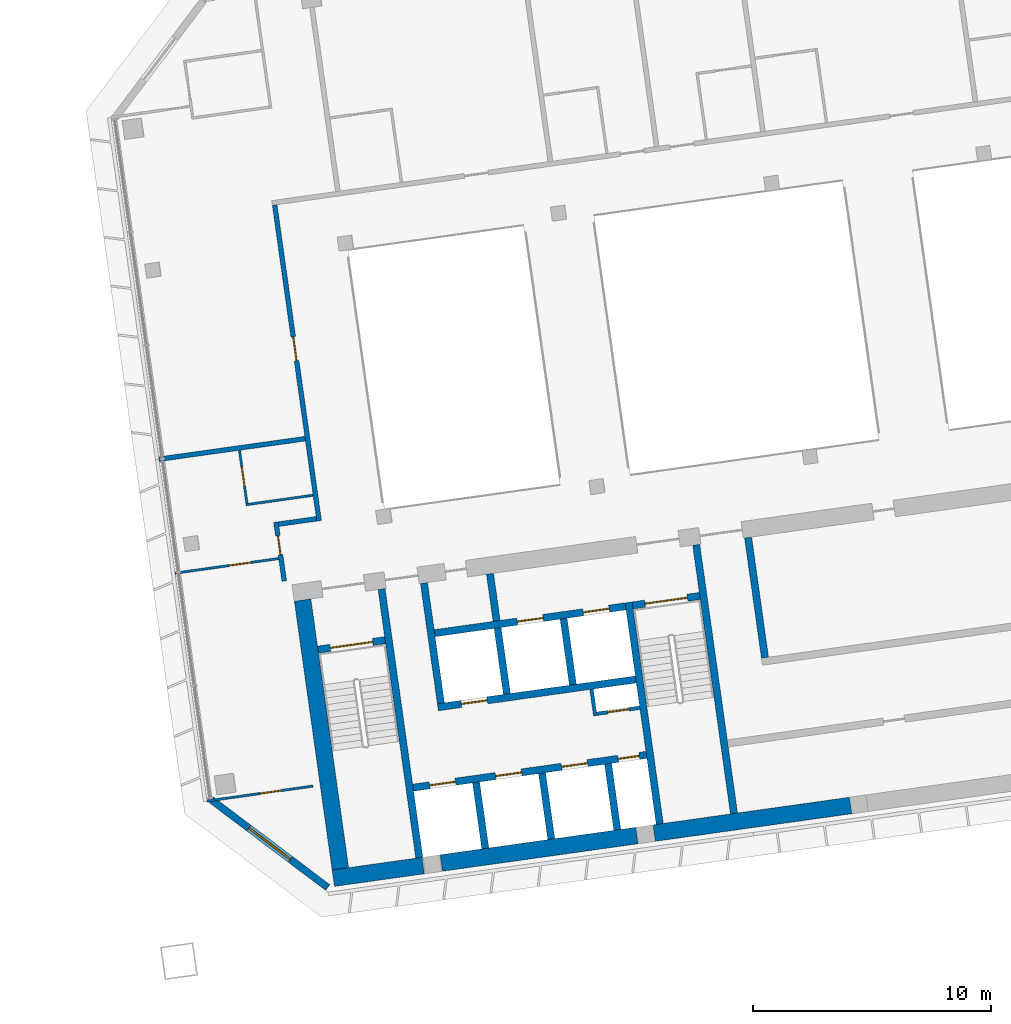
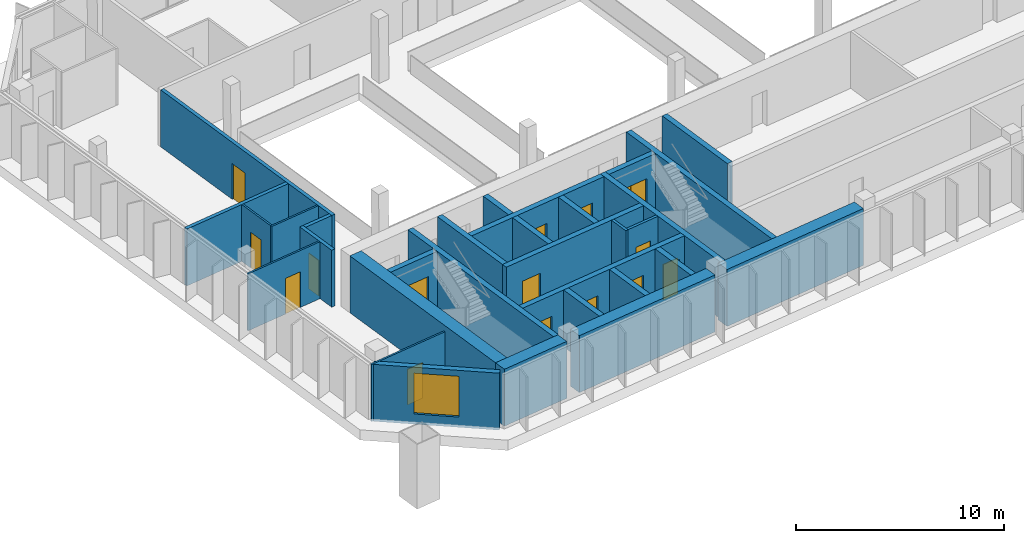
# One storey, part 19 of 26: 31 walls, 15 doors, 1 window, 16 openings.
"""IFC4 building model written with IfcOpenShell, lengths in metres."""

from ifc_helpers import new_model, si_unit, direction, frame, frame_2d, origin, place, context, subcontext, project, spatial, rectangle, extrude, material, layer, layer_set, type_object, element, fill, save


model = new_model("IFC4")

# Units and contexts
model_context = context("Model", 3, precision=1e-05, world=origin(), true_north=direction((0.0, 1.0)))
body_context = subcontext(model_context, "Body", "Model", "MODEL_VIEW")
ifc_project = project(units=[si_unit("LENGTHUNIT", "METRE"), si_unit("AREAUNIT", "SQUARE_METRE"), si_unit("VOLUMEUNIT", "CUBIC_METRE"), si_unit("PLANEANGLEUNIT", "RADIAN"), si_unit("MASSUNIT", "GRAM", prefix="KILO")], contexts=[model_context])

# Site, building, storey
site_placement = place(None, origin())
site = spatial("IfcSite", under=ifc_project, at=site_placement, CompositionType="ELEMENT")
building_placement = place(site_placement, origin())
building = spatial("IfcBuilding", under=site, at=building_placement, Name="Mirante Cascada Hotel Towers", CompositionType="ELEMENT")
storey_placement = place(building_placement, frame((0.0, 0.0, 161.2)))
storey = spatial("IfcBuildingStorey", under=building, at=storey_placement, Name="L37", CompositionType="ELEMENT", Elevation=161.2)

# Walls
ifc_material_1 = material(Name="Fire-rated plasterboard on metal studs")
ifc_layer_1 = layer(ifc_material_1, 0.2)
ifc_layer_set_1 = layer_set([ifc_layer_1], Name="Compartment wall 200 EI 120")
wall_type_1 = type_object("IfcWallType", Name="Compartment wall 200 EI 120", PredefinedType="PARTITIONING", material=ifc_layer_set_1)
wall_1_placement = place(storey_placement, frame((36.5138, -4.518, 0.0), z_axis=(0.0, 0.0, 1.0), x_axis=(-0.9902751, -0.1391229, 0.0)))
element("IfcWall", 1, at=wall_1_placement, inside=storey, type_object=wall_type_1, Name="Wall 2-L37-03", PredefinedType="PARTITIONING", context=body_context, shape_type="SweptSolid", body=[
    extrude(rectangle(XDim=1.6022, YDim=0.2, at=frame_2d((0.8011, 0.0))), origin(), (0.0, 0.0, 1.0), 3.35),
])
wall_2_placement = place(storey_placement, frame((36.0406, -1.151, 0.0), z_axis=(0.0, 0.0, 1.0), x_axis=(-0.9902675, -0.1391773, 0.0)))
element("IfcWall", 2, at=wall_2_placement, inside=storey, type_object=wall_type_1, Name="Wall 2-L37-07", PredefinedType="PARTITIONING", context=body_context, shape_type="SweptSolid", body=[
    extrude(rectangle(XDim=6.2022, YDim=0.2, at=frame_2d((3.1011, 0.0))), origin(), (0.0, 0.0, 1.0), 3.35),
])

# Wall, opening, door
wall_3_placement = place(storey_placement, frame((35.1622, -7.1315, 0.0), z_axis=(0.0, 0.0, 1.0), x_axis=(-0.1391586, 0.9902701, 0.0)))
wall_3 = element("IfcWall", 3, at=wall_3_placement, inside=storey, type_object=wall_type_1, Name="Wall 2-L37-28", PredefinedType="PARTITIONING", context=body_context, shape_type="SweptSolid", body=[
    extrude(rectangle(XDim=2.5, YDim=0.2, at=frame_2d((1.25, 0.0))), origin(), (0.0, 0.0, 1.0), 3.35),
])
opening_1_placement = place(wall_3_placement, frame((1.1167, 0.0, 0.0)))
opening_1 = element("IfcOpeningElement", 4, at=opening_1_placement, cuts=wall_3, Name="Opening D2-L37-23", PredefinedType="OPENING", context=body_context, shape_type="SweptSolid", body=[
    extrude(rectangle(XDim=0.8, YDim=2.1, at=frame_2d((0.4, 1.05))), frame((0.0, 0.1, 0.0), z_axis=(0.0, -1.0, 0.0), x_axis=(1.0, 0.0, 0.0)), (0.0, 0.0, 1.0), 0.2),
])
ifc_material_2 = material(Name="Fire-rated timber door leaf", Category="wood")
door_type_1 = type_object("IfcDoorType", Name="Bathroom door DG4 800x2100 EI 60", OperationType="SINGLE_SWING_LEFT", PredefinedType="DOOR", material=ifc_material_2)
door_1_placement = place(opening_1_placement, frame((0.8, 0.0, 0.0), z_axis=(0.0, 0.0, 1.0), x_axis=(-1.0, 0.0, 0.0)))
door_1 = element("IfcDoor", 5, at=door_1_placement, inside=storey, type_object=door_type_1, Name="Door D2-L37-23", OperationType="SINGLE_SWING_RIGHT", OverallHeight=2.1, OverallWidth=0.8, PredefinedType="DOOR", context=body_context, shape_type="SweptSolid", body=[
    extrude(rectangle(XDim=0.8, YDim=2.1, at=frame_2d((0.4, 1.05))), frame((0.0, 0.025, 0.0), z_axis=(0.0, -1.0, 0.0), x_axis=(1.0, 0.0, 0.0)), (0.0, 0.0, 1.0), 0.05),
])
fill(opening_1, door_1)

wall_4_placement = place(storey_placement, frame((34.7618, 8.6665, 0.0), z_axis=(0.0, 0.0, 1.0), x_axis=(0.1391789, -0.9902673, 0.0)))
wall_4 = element("IfcWall", 6, at=wall_4_placement, inside=storey, type_object=wall_type_1, Name="Wall 2-L37-29", PredefinedType="PARTITIONING", context=body_context, shape_type="SweptSolid", body=[
    extrude(rectangle(XDim=13.4, YDim=0.2, at=frame_2d((6.7, 0.0))), origin(), (0.0, 0.0, 1.0), 3.35),
])
opening_2_placement = place(wall_4_placement, frame((5.6, 0.0, 0.0)))
opening_2 = element("IfcOpeningElement", 7, at=opening_2_placement, cuts=wall_4, Name="Opening D2-L37-24", PredefinedType="OPENING", context=body_context, shape_type="SweptSolid", body=[
    extrude(rectangle(XDim=1.0, YDim=2.1, at=frame_2d((0.5, 1.05))), frame((0.0, 0.1, 0.0), z_axis=(0.0, -1.0, 0.0), x_axis=(1.0, 0.0, 0.0)), (0.0, 0.0, 1.0), 0.2),
])
ifc_material_3 = material(Name="Fire-rated timber door leaf", Category="wood")
door_type_2 = type_object("IfcDoorType", Name="Entrance door DG1 1000x2100 EI 60", OperationType="SINGLE_SWING_LEFT", PredefinedType="DOOR", material=ifc_material_3)
door_2_placement = place(opening_2_placement, frame((1.0, 0.0, 0.0), z_axis=(0.0, 0.0, 1.0), x_axis=(-1.0, 0.0, 0.0)))
door_2 = element("IfcDoor", 8, at=door_2_placement, inside=storey, type_object=door_type_2, Name="Door D2-L37-24", OperationType="SINGLE_SWING_RIGHT", OverallHeight=2.1, OverallWidth=1.0, PredefinedType="DOOR", context=body_context, shape_type="SweptSolid", body=[
    extrude(rectangle(XDim=1.0, YDim=2.1, at=frame_2d((0.5, 1.05))), frame((0.0, 0.025, 0.0), z_axis=(0.0, -1.0, 0.0), x_axis=(1.0, 0.0, 0.0)), (0.0, 0.0, 1.0), 0.05),
])
fill(opening_2, door_2)

# Wall
ifc_material_4 = material(Name="Masonry block", Category="masonry")
ifc_layer_2 = layer(ifc_material_4, 0.15)
ifc_layer_set_2 = layer_set([ifc_layer_2], Name="Core room partition 150 block EI 30")
wall_type_2 = type_object("IfcWallType", Name="Core room partition 150 block EI 30", PredefinedType="PARTITIONING", material=ifc_layer_set_2)
wall_5_placement = place(storey_placement, frame((48.2295, -12.793, 0.0), z_axis=(0.0, 0.0, 1.0), x_axis=(-0.1391935, 0.9902652, 0.0)))
element("IfcWall", 9, at=wall_5_placement, inside=storey, type_object=wall_type_2, Name="Core wall partition T2 L37 2", PredefinedType="PARTITIONING", context=body_context, shape_type="SweptSolid", body=[
    extrude(rectangle(XDim=1.1251, YDim=0.15, at=frame_2d((0.5626, 0.0))), origin(), (0.0, 0.0, 1.0), 3.35),
])

# Wall, opening, door
wall_6_placement = place(storey_placement, frame((48.2933, -12.7083, 0.0), z_axis=(0.0, 0.0, 1.0), x_axis=(0.990268, 0.1391734, 0.0)))
wall_6 = element("IfcWall", 10, at=wall_6_placement, inside=storey, type_object=wall_type_2, Name="Core wall partition T2 L37 3", PredefinedType="PARTITIONING", context=body_context, shape_type="SweptSolid", body=[
    extrude(rectangle(XDim=1.8251, YDim=0.15, at=frame_2d((0.9126, 0.0))), origin(), (0.0, 0.0, 1.0), 3.35),
])
opening_3_placement = place(wall_6_placement, frame((0.4625, 0.0, 0.0)))
opening_3 = element("IfcOpeningElement", 11, at=opening_3_placement, cuts=wall_6, Name="Opening D2-37-C17", PredefinedType="OPENING", context=body_context, shape_type="SweptSolid", body=[
    extrude(rectangle(XDim=0.9, YDim=2.1, at=frame_2d((0.45, 1.05))), frame((0.0, 0.075, 0.0), z_axis=(0.0, -1.0, 0.0), x_axis=(1.0, 0.0, 0.0)), (0.0, 0.0, 1.0), 0.15),
])
ifc_material_5 = material(Name="Hollow metal fire door leaf")
door_type_3 = type_object("IfcDoorType", Name="Fire door 900x2100 FD60", OperationType="NOTDEFINED", PredefinedType="DOOR", material=ifc_material_5)
door_3_placement = place(opening_3_placement, frame((0.9, 0.0, 0.0), z_axis=(0.0, 0.0, 1.0), x_axis=(-1.0, 0.0, 0.0)))
door_3 = element("IfcDoor", 12, at=door_3_placement, inside=storey, type_object=door_type_3, Name="Riser door T2 L37 17", OperationType="SINGLE_SWING_RIGHT", OverallHeight=2.1, OverallWidth=0.9, PredefinedType="DOOR", context=body_context, shape_type="SweptSolid", body=[
    extrude(rectangle(XDim=0.9, YDim=2.1, at=frame_2d((0.45, 1.05))), frame((0.0, 0.025, 0.0), z_axis=(0.0, -1.0, 0.0), x_axis=(1.0, 0.0, 0.0)), (0.0, 0.0, 1.0), 0.05),
])
fill(opening_3, door_3)

# Wall
ifc_material_6 = material(Name="Masonry block", Category="masonry")
ifc_layer_3 = layer(ifc_material_6, 0.3)
ifc_layer_set_3 = layer_set([ifc_layer_3], Name="Core wall 300 block EI 120")
wall_type_3 = type_object("IfcWallType", Name="Core wall 300 block EI 120", PredefinedType="PARTITIONING", material=ifc_layer_set_3)
wall_7_placement = place(storey_placement, frame((44.0843, -8.8061, 0.0), z_axis=(0.0, 0.0, 1.0), x_axis=(-0.1391951, 0.990265, 0.0)))
element("IfcWall", 13, at=wall_7_placement, inside=storey, type_object=wall_type_3, Name="Core wall partition T2 L37 1", PredefinedType="PARTITIONING", context=body_context, shape_type="SweptSolid", body=[
    extrude(rectangle(XDim=2.0001, YDim=0.3, at=frame_2d((1.0001, 0.0))), origin(), (0.0, 0.0, 1.0), 3.35),
])

# Wall, opening, door
ifc_material_7 = material(Name="Plasterboard on metal studs")
ifc_layer_4 = layer(ifc_material_7, 0.1)
ifc_layer_set_4 = layer_set([ifc_layer_4], Name="Partition 100")
wall_type_4 = type_object("IfcWallType", Name="Partition 100", PredefinedType="PARTITIONING", material=ifc_layer_set_4)
wall_8_placement = place(storey_placement, frame((36.373, -15.7468, 0.0), z_axis=(0.0, 0.0, 1.0), x_axis=(-0.9902674, -0.1391779, 0.0)))
wall_8 = element("IfcWall", 14, at=wall_8_placement, inside=storey, type_object=wall_type_4, Name="Wall 2-L37-01", PredefinedType="PARTITIONING", context=body_context, shape_type="SweptSolid", body=[
    extrude(rectangle(XDim=4.5, YDim=0.1, at=frame_2d((2.25, 0.0))), origin(), (0.0, 0.0, 1.0), 3.35),
])
opening_4_placement = place(wall_8_placement, frame((1.3691, 0.0, 0.0)))
opening_4 = element("IfcOpeningElement", 15, at=opening_4_placement, cuts=wall_8, Name="Opening D2-L37-01", PredefinedType="OPENING", context=body_context, shape_type="SweptSolid", body=[
    extrude(rectangle(XDim=0.9, YDim=2.1, at=frame_2d((0.45, 1.05))), frame((0.0, 0.05, 0.0), z_axis=(0.0, -1.0, 0.0), x_axis=(1.0, 0.0, 0.0)), (0.0, 0.0, 1.0), 0.1),
])
ifc_material_8 = material(Name="Timber door leaf", Category="wood")
door_type_4 = type_object("IfcDoorType", Name="Room door DG3 900x2100", OperationType="SINGLE_SWING_LEFT", PredefinedType="DOOR", material=ifc_material_8)
door_4_placement = place(opening_4_placement, frame((0.9, 0.0, 0.0), z_axis=(0.0, 0.0, 1.0), x_axis=(-1.0, 0.0, 0.0)))
door_4 = element("IfcDoor", 16, at=door_4_placement, inside=storey, type_object=door_type_4, Name="Door D2-L37-01", OperationType="SINGLE_SWING_RIGHT", OverallHeight=2.1, OverallWidth=0.9, PredefinedType="DOOR", context=body_context, shape_type="SweptSolid", body=[
    extrude(rectangle(XDim=0.9, YDim=2.1, at=frame_2d((0.45, 1.05))), frame((0.0, 0.025, 0.0), z_axis=(0.0, -1.0, 0.0), x_axis=(1.0, 0.0, 0.0)), (0.0, 0.0, 1.0), 0.05),
])
fill(opening_4, door_4)

wall_9_placement = place(storey_placement, frame((30.5715, -6.8005, 0.0), z_axis=(0.0, 0.0, 1.0), x_axis=(0.9902665, 0.1391841, 0.0)))
wall_9 = element("IfcWall", 17, at=wall_9_placement, inside=storey, type_object=wall_type_4, Name="Wall 2-L37-02", PredefinedType="PARTITIONING", context=body_context, shape_type="SweptSolid", body=[
    extrude(rectangle(XDim=4.3999, YDim=0.1, at=frame_2d((2.2, 0.0))), origin(), (0.0, 0.0, 1.0), 3.35),
])
opening_5_placement = place(wall_9_placement, frame((2.3011, 0.0, 0.0)))
opening_5 = element("IfcOpeningElement", 18, at=opening_5_placement, cuts=wall_9, Name="Opening D2-L37-02", PredefinedType="OPENING", context=body_context, shape_type="SweptSolid", body=[
    extrude(rectangle(XDim=0.9, YDim=2.1, at=frame_2d((0.45, 1.05))), frame((0.0, 0.05, 0.0), z_axis=(0.0, -1.0, 0.0), x_axis=(1.0, 0.0, 0.0)), (0.0, 0.0, 1.0), 0.1),
])
door_5_placement = place(opening_5_placement, frame((0.9, 0.0, 0.0), z_axis=(0.0, 0.0, 1.0), x_axis=(-1.0, 0.0, 0.0)))
door_5 = element("IfcDoor", 19, at=door_5_placement, inside=storey, type_object=door_type_4, Name="Door D2-L37-02", OperationType="SINGLE_SWING_RIGHT", OverallHeight=2.1, OverallWidth=0.9, PredefinedType="DOOR", context=body_context, shape_type="SweptSolid", body=[
    extrude(rectangle(XDim=0.9, YDim=2.1, at=frame_2d((0.45, 1.05))), frame((0.0, 0.025, 0.0), z_axis=(0.0, -1.0, 0.0), x_axis=(1.0, 0.0, 0.0)), (0.0, 0.0, 1.0), 0.05),
])
fill(opening_5, door_5)

# Wall
wall_10_placement = place(storey_placement, frame((33.5524, -3.9243, 0.0), z_axis=(0.0, 0.0, 1.0), x_axis=(0.9902704, 0.1391564, 0.0)))
element("IfcWall", 20, at=wall_10_placement, inside=storey, type_object=wall_type_4, Name="Wall 2-L37-06", PredefinedType="PARTITIONING", context=body_context, shape_type="SweptSolid", body=[
    extrude(rectangle(XDim=2.85, YDim=0.1, at=frame_2d((1.425, 0.0))), origin(), (0.0, 0.0, 1.0), 3.35),
])

# Wall, opening, door
wall_11_placement = place(storey_placement, frame((33.5949, -3.8679, 0.0), z_axis=(0.0, 0.0, 1.0), x_axis=(-0.1391561, 0.9902705, 0.0)))
wall_11 = element("IfcWall", 21, at=wall_11_placement, inside=storey, type_object=wall_type_4, Name="Wall 2-L37-26", PredefinedType="PARTITIONING", context=body_context, shape_type="SweptSolid", body=[
    extrude(rectangle(XDim=2.25, YDim=0.1, at=frame_2d((1.125, 0.0))), origin(), (0.0, 0.0, 1.0), 3.35),
])
opening_6_placement = place(wall_11_placement, frame((0.75, 0.0, 0.0)))
opening_6 = element("IfcOpeningElement", 22, at=opening_6_placement, cuts=wall_11, Name="Opening D2-L37-21", PredefinedType="OPENING", context=body_context, shape_type="SweptSolid", body=[
    extrude(rectangle(XDim=0.8, YDim=2.1, at=frame_2d((0.4, 1.05))), frame((0.0, 0.05, 0.0), z_axis=(0.0, -1.0, 0.0), x_axis=(1.0, 0.0, 0.0)), (0.0, 0.0, 1.0), 0.1),
])
ifc_material_9 = material(Name="Timber door leaf", Category="wood")
door_type_5 = type_object("IfcDoorType", Name="Bathroom door DG4 800x2100", OperationType="SINGLE_SWING_LEFT", PredefinedType="DOOR", material=ifc_material_9)
door_6_placement = place(opening_6_placement, origin())
door_6 = element("IfcDoor", 23, at=door_6_placement, inside=storey, type_object=door_type_5, Name="Door D2-L37-21", OperationType="SINGLE_SWING_LEFT", OverallHeight=2.1, OverallWidth=0.8, PredefinedType="DOOR", context=body_context, shape_type="SweptSolid", body=[
    extrude(rectangle(XDim=0.8, YDim=2.1, at=frame_2d((0.4, 1.05))), frame((0.0, 0.025, 0.0), z_axis=(0.0, -1.0, 0.0), x_axis=(1.0, 0.0, 0.0)), (0.0, 0.0, 1.0), 0.05),
])
fill(opening_6, door_6)

# Wall, opening, window
ifc_material_10 = material(Name="Precast concrete C40/50", Category="concrete")
ifc_layer_5 = layer(ifc_material_10, 0.3)
ifc_layer_set_5 = layer_set([ifc_layer_5], Name="Precast concrete C40/50 cladding wall 300")
wall_type_5 = type_object("IfcWallType", Name="Precast concrete C40/50 cladding wall 300", PredefinedType="STANDARD", material=ifc_layer_set_5)
wall_12_placement = place(storey_placement, frame((32.1062, -16.328, 0.0), z_axis=(0.0, 0.0, 1.0), x_axis=(0.7986362, -0.6018141, 0.0)))
wall_12 = element("IfcWall", 24, at=wall_12_placement, inside=storey, type_object=wall_type_5, Name="Corner cladding wall T2 L37 inner rear", PredefinedType="STANDARD", context=body_context, shape_type="SweptSolid", body=[
    extrude(rectangle(XDim=6.1157, YDim=0.3, at=frame_2d((3.0578, 0.0))), origin(), (0.0, 0.0, 1.0), 3.35),
])
opening_7_placement = place(wall_12_placement, frame((1.9578, 0.0, 0.6)))
opening_7 = element("IfcOpeningElement", 25, at=opening_7_placement, cuts=wall_12, Name="Opening W2-37-04", PredefinedType="OPENING", context=body_context, shape_type="SweptSolid", body=[
    extrude(rectangle(XDim=2.2, YDim=2.4, at=frame_2d((1.1, 1.2))), frame((0.0, 0.15, 0.0), z_axis=(0.0, -1.0, 0.0), x_axis=(1.0, 0.0, 0.0)), (0.0, 0.0, 1.0), 0.3),
])
ifc_material_11 = material(Name="Aluminium frame with clear double glazing", Category="aluminium")
window_type = type_object("IfcWindowType", Name="Corner suite window 2200x2400", PartitioningType="DOUBLE_PANEL_VERTICAL", PredefinedType="WINDOW", material=ifc_material_11)
window_placement = place(opening_7_placement, origin())
window = element("IfcWindow", 26, at=window_placement, inside=storey, type_object=window_type, Name="Window W2-37-04", OverallHeight=2.4, OverallWidth=2.2, PartitioningType="SINGLE_PANEL", PredefinedType="WINDOW", context=body_context, shape_type="SweptSolid", body=[
    extrude(rectangle(XDim=2.2, YDim=2.4, at=frame_2d((1.1, 1.2))), frame((0.0, 0.03, 0.0), z_axis=(0.0, -1.0, 0.0), x_axis=(1.0, 0.0, 0.0)), (0.0, 0.0, 1.0), 0.06),
])
fill(opening_7, window)

# Walls
ifc_material_12 = material(Name="Concrete C50/60", Category="concrete")
ifc_layer_6 = layer(ifc_material_12, 0.3)
ifc_layer_set_6 = layer_set([ifc_layer_6], Name="RC core wall 300 C50/60")
wall_type_6 = type_object("IfcWallType", Name="RC core wall 300 C50/60", PredefinedType="SHEAR", material=ifc_layer_set_6)
wall_13_placement = place(storey_placement, frame((40.8373, -18.7548, 0.0), z_axis=(0.0, 0.0, 1.0), x_axis=(-0.1391749, 0.9902678, 0.0)))
element("IfcWall", 27, at=wall_13_placement, inside=storey, type_object=wall_type_6, Name="Core wall T2:L37:5", PredefinedType="SHEAR", context=body_context, shape_type="SweptSolid", body=[
    extrude(rectangle(XDim=11.4, YDim=0.3, at=frame_2d((5.7, 0.0))), origin(), (0.0, 0.0, 1.0), 3.35),
])
wall_14_placement = place(storey_placement, frame((50.938, -17.3352, 0.0), z_axis=(0.0, 0.0, 1.0), x_axis=(-0.1391706, 0.9902684, 0.0)))
element("IfcWall", 28, at=wall_14_placement, inside=storey, type_object=wall_type_6, Name="Core wall T2:L37:6", PredefinedType="SHEAR", context=body_context, shape_type="SweptSolid", body=[
    extrude(rectangle(XDim=9.4, YDim=0.3, at=frame_2d((4.7, 0.0))), origin(), (0.0, 0.0, 1.0), 3.35),
])
wall_15_placement = place(storey_placement, frame((54.0574, -16.8968, 0.0), z_axis=(0.0, 0.0, 1.0), x_axis=(-0.1391761, 0.9902677, 0.0)))
element("IfcWall", 29, at=wall_15_placement, inside=storey, type_object=wall_type_6, Name="Core wall T2:L37:7", PredefinedType="SHEAR", context=body_context, shape_type="SweptSolid", body=[
    extrude(rectangle(XDim=11.3999, YDim=0.3, at=frame_2d((5.7, 0.0))), origin(), (0.0, 0.0, 1.0), 3.35),
])

# Wall, opening, door
wall_16_placement = place(storey_placement, frame((36.5791, -10.0123, 0.0), z_axis=(0.0, 0.0, 1.0), x_axis=(0.9902704, 0.1391564, 0.0)))
wall_16 = element("IfcWall", 30, at=wall_16_placement, inside=storey, type_object=wall_type_6, Name="Core wall T2:L37:9", PredefinedType="SHEAR", context=body_context, shape_type="SweptSolid", body=[
    extrude(rectangle(XDim=2.85, YDim=0.3, at=frame_2d((1.425, 0.0))), origin(), (0.0, 0.0, 1.0), 3.35),
])
opening_8_placement = place(wall_16_placement, frame((0.525, 0.0, 0.0)))
opening_8 = element("IfcOpeningElement", 31, at=opening_8_placement, cuts=wall_16, Name="Opening D2-37-C07", PredefinedType="OPENING", context=body_context, shape_type="SweptSolid", body=[
    extrude(rectangle(XDim=1.8, YDim=2.1, at=frame_2d((0.9, 1.05))), frame((0.0, 0.15, 0.0), z_axis=(0.0, -1.0, 0.0), x_axis=(1.0, 0.0, 0.0)), (0.0, 0.0, 1.0), 0.3),
])
ifc_material_13 = material(Name="Hollow metal fire door leaf")
door_type_6 = type_object("IfcDoorType", Name="Double fire door 1800x2100 FD60", OperationType="DOUBLE_DOOR_SINGLE_SWING", PredefinedType="DOOR", material=ifc_material_13)
door_7_placement = place(opening_8_placement, frame((1.8, 0.0, 0.0), z_axis=(0.0, 0.0, 1.0), x_axis=(-1.0, 0.0, 0.0)))
door_7 = element("IfcDoor", 32, at=door_7_placement, inside=storey, type_object=door_type_6, Name="Stair door T2 L37 7", OperationType="DOUBLE_DOOR_SINGLE_SWING", OverallHeight=2.1, OverallWidth=1.8, PredefinedType="DOOR", context=body_context, shape_type="SweptSolid", body=[
    extrude(rectangle(XDim=0.895, YDim=2.1, at=frame_2d((0.4475, 1.05))), frame((0.0, 0.025, 0.0), z_axis=(0.0, -1.0, 0.0), x_axis=(1.0, 0.0, 0.0)), (0.0, 0.0, 1.0), 0.05),
    extrude(rectangle(XDim=0.895, YDim=2.1, at=frame_2d((1.3525, 1.05))), frame((0.0, 0.025, 0.0), z_axis=(0.0, -1.0, 0.0), x_axis=(1.0, 0.0, 0.0)), (0.0, 0.0, 1.0), 0.05),
])
fill(opening_8, door_7)

wall_17_placement = place(storey_placement, frame((49.7992, -8.1544, 0.0), z_axis=(0.0, 0.0, 1.0), x_axis=(0.9902656, 0.1391909, 0.0)))
wall_17 = element("IfcWall", 33, at=wall_17_placement, inside=storey, type_object=wall_type_6, Name="Core wall T2:L37:10", PredefinedType="SHEAR", context=body_context, shape_type="SweptSolid", body=[
    extrude(rectangle(XDim=2.85, YDim=0.3, at=frame_2d((1.425, 0.0))), origin(), (0.0, 0.0, 1.0), 3.35),
])
opening_9_placement = place(wall_17_placement, frame((0.525, 0.0, 0.0)))
opening_9 = element("IfcOpeningElement", 34, at=opening_9_placement, cuts=wall_17, Name="Opening D2-37-C09", PredefinedType="OPENING", context=body_context, shape_type="SweptSolid", body=[
    extrude(rectangle(XDim=1.8, YDim=2.1, at=frame_2d((0.9, 1.05))), frame((0.0, 0.15, 0.0), z_axis=(0.0, -1.0, 0.0), x_axis=(1.0, 0.0, 0.0)), (0.0, 0.0, 1.0), 0.3),
])
door_8_placement = place(opening_9_placement, frame((1.8, 0.0, 0.0), z_axis=(0.0, 0.0, 1.0), x_axis=(-1.0, 0.0, 0.0)))
door_8 = element("IfcDoor", 35, at=door_8_placement, inside=storey, type_object=door_type_6, Name="Stair door T2 L37 9", OperationType="DOUBLE_DOOR_SINGLE_SWING", OverallHeight=2.1, OverallWidth=1.8, PredefinedType="DOOR", context=body_context, shape_type="SweptSolid", body=[
    extrude(rectangle(XDim=0.895, YDim=2.1, at=frame_2d((0.4475, 1.05))), frame((0.0, 0.025, 0.0), z_axis=(0.0, -1.0, 0.0), x_axis=(1.0, 0.0, 0.0)), (0.0, 0.0, 1.0), 0.05),
    extrude(rectangle(XDim=0.895, YDim=2.1, at=frame_2d((1.3525, 1.05))), frame((0.0, 0.025, 0.0), z_axis=(0.0, -1.0, 0.0), x_axis=(1.0, 0.0, 0.0)), (0.0, 0.0, 1.0), 0.05),
])
fill(opening_9, door_8)

# Wall, openings, doors
wall_18_placement = place(storey_placement, frame((40.5753, -15.8126, 0.0), z_axis=(0.0, 0.0, 1.0), x_axis=(0.9902682, 0.1391725, 0.0)))
wall_18 = element("IfcWall", 36, at=wall_18_placement, inside=storey, type_object=wall_type_6, Name="Core wall T2:L37:12", PredefinedType="SHEAR", context=body_context, shape_type="SweptSolid", body=[
    extrude(rectangle(XDim=9.8999, YDim=0.3, at=frame_2d((4.95, 0.0))), origin(), (0.0, 0.0, 1.0), 3.35),
])
opening_10_placement = place(wall_18_placement, frame((0.7, 0.0, 0.0)))
opening_10 = element("IfcOpeningElement", 37, at=opening_10_placement, cuts=wall_18, Name="Opening LD", PredefinedType="OPENING", context=body_context, shape_type="SweptSolid", body=[
    extrude(rectangle(XDim=1.1, YDim=2.1, at=frame_2d((0.55, 1.05))), frame((0.0, 0.15, 0.0), z_axis=(0.0, -1.0, 0.0), x_axis=(1.0, 0.0, 0.0)), (0.0, 0.0, 1.0), 0.3),
])
opening_11_placement = place(wall_18_placement, frame((3.5, 0.0, 0.0)))
opening_11 = element("IfcOpeningElement", 38, at=opening_11_placement, cuts=wall_18, Name="Opening LD", PredefinedType="OPENING", context=body_context, shape_type="SweptSolid", body=[
    extrude(rectangle(XDim=1.1, YDim=2.1, at=frame_2d((0.55, 1.05))), frame((0.0, 0.15, 0.0), z_axis=(0.0, -1.0, 0.0), x_axis=(1.0, 0.0, 0.0)), (0.0, 0.0, 1.0), 0.3),
])
opening_12_placement = place(wall_18_placement, frame((6.3, 0.0, 0.0)))
opening_12 = element("IfcOpeningElement", 39, at=opening_12_placement, cuts=wall_18, Name="Opening LD", PredefinedType="OPENING", context=body_context, shape_type="SweptSolid", body=[
    extrude(rectangle(XDim=1.1, YDim=2.1, at=frame_2d((0.55, 1.05))), frame((0.0, 0.15, 0.0), z_axis=(0.0, -1.0, 0.0), x_axis=(1.0, 0.0, 0.0)), (0.0, 0.0, 1.0), 0.3),
])
opening_13_placement = place(wall_18_placement, frame((8.7, 0.0, 0.0)))
opening_13 = element("IfcOpeningElement", 40, at=opening_13_placement, cuts=wall_18, Name="Opening D2-37-C16", PredefinedType="OPENING", context=body_context, shape_type="SweptSolid", body=[
    extrude(rectangle(XDim=0.9, YDim=2.1, at=frame_2d((0.45, 1.05))), frame((0.0, 0.15, 0.0), z_axis=(0.0, -1.0, 0.0), x_axis=(1.0, 0.0, 0.0)), (0.0, 0.0, 1.0), 0.3),
])
door_9_placement = place(opening_13_placement, frame((0.9, 0.0, 0.0), z_axis=(0.0, 0.0, 1.0), x_axis=(-1.0, 0.0, 0.0)))
door_9 = element("IfcDoor", 41, at=door_9_placement, inside=storey, type_object=door_type_3, Name="Riser door T2 L37 16", OperationType="SINGLE_SWING_RIGHT", OverallHeight=2.1, OverallWidth=0.9, PredefinedType="DOOR", context=body_context, shape_type="SweptSolid", body=[
    extrude(rectangle(XDim=0.9, YDim=2.1, at=frame_2d((0.45, 1.05))), frame((0.0, 0.025, 0.0), z_axis=(0.0, -1.0, 0.0), x_axis=(1.0, 0.0, 0.0)), (0.0, 0.0, 1.0), 0.05),
])
fill(opening_13, door_9)
ifc_material_14 = material(Name="Stainless steel", Category="steel")
door_type_7 = type_object("IfcDoorType", Name="Lift landing door 1100x2100 EI 120", OperationType="DOUBLE_DOOR_SLIDING", PredefinedType="DOOR", material=ifc_material_14)
door_10_placement = place(opening_10_placement, origin())
door_10 = element("IfcDoor", 42, at=door_10_placement, inside=storey, type_object=door_type_7, Name="Lift landing door HR2-1 L37", OperationType="DOUBLE_DOOR_SLIDING", OverallHeight=2.1, OverallWidth=1.1, PredefinedType="DOOR", context=body_context, shape_type="SweptSolid", body=[
    extrude(rectangle(XDim=0.545, YDim=2.1, at=frame_2d((0.2725, 1.05))), frame((0.0, 0.025, 0.0), z_axis=(0.0, -1.0, 0.0), x_axis=(1.0, 0.0, 0.0)), (0.0, 0.0, 1.0), 0.05),
    extrude(rectangle(XDim=0.545, YDim=2.1, at=frame_2d((0.8275, 1.05))), frame((0.0, 0.025, 0.0), z_axis=(0.0, -1.0, 0.0), x_axis=(1.0, 0.0, 0.0)), (0.0, 0.0, 1.0), 0.05),
])
fill(opening_10, door_10)
door_11_placement = place(opening_11_placement, origin())
door_11 = element("IfcDoor", 43, at=door_11_placement, inside=storey, type_object=door_type_7, Name="Lift landing door HR2-2 L37", OperationType="DOUBLE_DOOR_SLIDING", OverallHeight=2.1, OverallWidth=1.1, PredefinedType="DOOR", context=body_context, shape_type="SweptSolid", body=[
    extrude(rectangle(XDim=0.545, YDim=2.1, at=frame_2d((0.2725, 1.05))), frame((0.0, 0.025, 0.0), z_axis=(0.0, -1.0, 0.0), x_axis=(1.0, 0.0, 0.0)), (0.0, 0.0, 1.0), 0.05),
    extrude(rectangle(XDim=0.545, YDim=2.1, at=frame_2d((0.8275, 1.05))), frame((0.0, 0.025, 0.0), z_axis=(0.0, -1.0, 0.0), x_axis=(1.0, 0.0, 0.0)), (0.0, 0.0, 1.0), 0.05),
])
fill(opening_11, door_11)
door_12_placement = place(opening_12_placement, origin())
door_12 = element("IfcDoor", 44, at=door_12_placement, inside=storey, type_object=door_type_7, Name="Lift landing door HR2-3 L37", OperationType="DOUBLE_DOOR_SLIDING", OverallHeight=2.1, OverallWidth=1.1, PredefinedType="DOOR", context=body_context, shape_type="SweptSolid", body=[
    extrude(rectangle(XDim=0.545, YDim=2.1, at=frame_2d((0.2725, 1.05))), frame((0.0, 0.025, 0.0), z_axis=(0.0, -1.0, 0.0), x_axis=(1.0, 0.0, 0.0)), (0.0, 0.0, 1.0), 0.05),
    extrude(rectangle(XDim=0.545, YDim=2.1, at=frame_2d((0.8275, 1.05))), frame((0.0, 0.025, 0.0), z_axis=(0.0, -1.0, 0.0), x_axis=(1.0, 0.0, 0.0)), (0.0, 0.0, 1.0), 0.05),
])
fill(opening_12, door_12)

# Wall, opening, door
wall_19_placement = place(storey_placement, frame((41.6153, -12.435, 0.0), z_axis=(0.0, 0.0, 1.0), x_axis=(0.9902691, 0.139166, 0.0)))
wall_19 = element("IfcWall", 45, at=wall_19_placement, inside=storey, type_object=wall_type_6, Name="Core wall T2:L37:13", PredefinedType="SHEAR", context=body_context, shape_type="SweptSolid", body=[
    extrude(rectangle(XDim=8.4, YDim=0.3, at=frame_2d((4.2, 0.0))), origin(), (0.0, 0.0, 1.0), 3.35),
])
opening_14_placement = place(wall_19_placement, frame((1.0, 0.0, 0.0)))
opening_14 = element("IfcOpeningElement", 46, at=opening_14_placement, cuts=wall_19, Name="Opening LD", PredefinedType="OPENING", context=body_context, shape_type="SweptSolid", body=[
    extrude(rectangle(XDim=1.1, YDim=2.1, at=frame_2d((0.55, 1.05))), frame((0.0, 0.15, 0.0), z_axis=(0.0, -1.0, 0.0), x_axis=(1.0, 0.0, 0.0)), (0.0, 0.0, 1.0), 0.3),
])
door_13_placement = place(opening_14_placement, origin())
door_13 = element("IfcDoor", 47, at=door_13_placement, inside=storey, type_object=door_type_7, Name="Lift landing door HR2-4 L37", OperationType="DOUBLE_DOOR_SLIDING", OverallHeight=2.1, OverallWidth=1.1, PredefinedType="DOOR", context=body_context, shape_type="SweptSolid", body=[
    extrude(rectangle(XDim=0.545, YDim=2.1, at=frame_2d((0.2725, 1.05))), frame((0.0, 0.025, 0.0), z_axis=(0.0, -1.0, 0.0), x_axis=(1.0, 0.0, 0.0)), (0.0, 0.0, 1.0), 0.05),
    extrude(rectangle(XDim=0.545, YDim=2.1, at=frame_2d((0.8275, 1.05))), frame((0.0, 0.025, 0.0), z_axis=(0.0, -1.0, 0.0), x_axis=(1.0, 0.0, 0.0)), (0.0, 0.0, 1.0), 0.05),
])
fill(opening_14, door_13)

# Wall, openings, doors
wall_20_placement = place(storey_placement, frame((41.481, -9.3234, 0.0), z_axis=(0.0, 0.0, 1.0), x_axis=(0.9902679, 0.1391741, 0.0)))
wall_20 = element("IfcWall", 48, at=wall_20_placement, inside=storey, type_object=wall_type_6, Name="Core wall T2:L37:14", PredefinedType="SHEAR", context=body_context, shape_type="SweptSolid", body=[
    extrude(rectangle(XDim=8.0999, YDim=0.3, at=frame_2d((4.05, 0.0))), origin(), (0.0, 0.0, 1.0), 3.35),
])
opening_15_placement = place(wall_20_placement, frame((3.5, 0.0, 0.0)))
opening_15 = element("IfcOpeningElement", 49, at=opening_15_placement, cuts=wall_20, Name="Opening LD", PredefinedType="OPENING", context=body_context, shape_type="SweptSolid", body=[
    extrude(rectangle(XDim=1.1, YDim=2.1, at=frame_2d((0.55, 1.05))), frame((0.0, 0.15, 0.0), z_axis=(0.0, -1.0, 0.0), x_axis=(1.0, 0.0, 0.0)), (0.0, 0.0, 1.0), 0.3),
])
opening_16_placement = place(wall_20_placement, frame((6.3, 0.0, 0.0)))
opening_16 = element("IfcOpeningElement", 50, at=opening_16_placement, cuts=wall_20, Name="Opening LD", PredefinedType="OPENING", context=body_context, shape_type="SweptSolid", body=[
    extrude(rectangle(XDim=1.1, YDim=2.1, at=frame_2d((0.55, 1.05))), frame((0.0, 0.15, 0.0), z_axis=(0.0, -1.0, 0.0), x_axis=(1.0, 0.0, 0.0)), (0.0, 0.0, 1.0), 0.3),
])
door_14_placement = place(opening_15_placement, origin())
door_14 = element("IfcDoor", 51, at=door_14_placement, inside=storey, type_object=door_type_7, Name="Lift landing door FF3 L37", OperationType="DOUBLE_DOOR_SLIDING", OverallHeight=2.1, OverallWidth=1.1, PredefinedType="DOOR", context=body_context, shape_type="SweptSolid", body=[
    extrude(rectangle(XDim=0.545, YDim=2.1, at=frame_2d((0.2725, 1.05))), frame((0.0, 0.025, 0.0), z_axis=(0.0, -1.0, 0.0), x_axis=(1.0, 0.0, 0.0)), (0.0, 0.0, 1.0), 0.05),
    extrude(rectangle(XDim=0.545, YDim=2.1, at=frame_2d((0.8275, 1.05))), frame((0.0, 0.025, 0.0), z_axis=(0.0, -1.0, 0.0), x_axis=(1.0, 0.0, 0.0)), (0.0, 0.0, 1.0), 0.05),
])
fill(opening_15, door_14)
door_15_placement = place(opening_16_placement, origin())
door_15 = element("IfcDoor", 52, at=door_15_placement, inside=storey, type_object=door_type_7, Name="Lift landing door FF4 L37", OperationType="DOUBLE_DOOR_SLIDING", OverallHeight=2.1, OverallWidth=1.1, PredefinedType="DOOR", context=body_context, shape_type="SweptSolid", body=[
    extrude(rectangle(XDim=0.545, YDim=2.1, at=frame_2d((0.2725, 1.05))), frame((0.0, 0.025, 0.0), z_axis=(0.0, -1.0, 0.0), x_axis=(1.0, 0.0, 0.0)), (0.0, 0.0, 1.0), 0.05),
    extrude(rectangle(XDim=0.545, YDim=2.1, at=frame_2d((0.8275, 1.05))), frame((0.0, 0.025, 0.0), z_axis=(0.0, -1.0, 0.0), x_axis=(1.0, 0.0, 0.0)), (0.0, 0.0, 1.0), 0.05),
])
fill(opening_16, door_15)

# Walls
wall_21_placement = place(storey_placement, frame((43.61, -18.3651, 0.0), z_axis=(0.0, 0.0, 1.0), x_axis=(-0.1391459, 0.9902719, 0.0)))
element("IfcWall", 53, at=wall_21_placement, inside=storey, type_object=wall_type_6, Name="Core wall T2:L37:15", PredefinedType="SHEAR", context=body_context, shape_type="SweptSolid", body=[
    extrude(rectangle(XDim=2.7999, YDim=0.3, at=frame_2d((1.4, 0.0))), origin(), (0.0, 0.0, 1.0), 3.35),
])
wall_22_placement = place(storey_placement, frame((46.3828, -17.9754, 0.0), z_axis=(0.0, 0.0, 1.0), x_axis=(-0.139181, 0.990267, 0.0)))
element("IfcWall", 54, at=wall_22_placement, inside=storey, type_object=wall_type_6, Name="Core wall T2:L37:16", PredefinedType="SHEAR", context=body_context, shape_type="SweptSolid", body=[
    extrude(rectangle(XDim=2.8, YDim=0.3, at=frame_2d((1.4, 0.0))), origin(), (0.0, 0.0, 1.0), 3.35),
])
wall_23_placement = place(storey_placement, frame((49.1555, -17.5857, 0.0), z_axis=(0.0, 0.0, 1.0), x_axis=(-0.1391459, 0.9902719, 0.0)))
element("IfcWall", 55, at=wall_23_placement, inside=storey, type_object=wall_type_6, Name="Core wall T2:L37:17", PredefinedType="SHEAR", context=body_context, shape_type="SweptSolid", body=[
    extrude(rectangle(XDim=2.7999, YDim=0.3, at=frame_2d((1.4, 0.0))), origin(), (0.0, 0.0, 1.0), 3.35),
])
for number, where, z_axis, x_axis, name in (
    (56, (44.5157, -11.8759, 0.0), (0.0, 0.0, 1.0), (-0.139181, 0.990267, 0.0), "Core wall T2:L37:18"),
    (57, (47.2885, -11.4862, 0.0), (0.0, 0.0, 1.0), (-0.139181, 0.990267, 0.0), "Core wall T2:L37:19"),
):
    element("IfcWall", number, at=place(storey_placement, frame(where, z_axis=z_axis, x_axis=x_axis)), inside=storey, type_object=wall_type_6, Name=name, PredefinedType="SHEAR", context=body_context, shape_type="SweptSolid", body=[
        extrude(rectangle(XDim=2.8, YDim=0.3, at=frame_2d((1.4, 0.0))), origin(), (0.0, 0.0, 1.0), 3.35),
    ])
for number, where, z_axis, x_axis, name in (
    (58, (41.743, -12.2656, 0.0), (0.0, 0.0, 1.0), (-0.1391755, 0.9902677, 0.0), "Core wall T2:L37:20"),
    (59, (55.3592, -10.352, 0.0), (0.0, 0.0, 1.0), (-0.1391755, 0.9902677, 0.0), "Core wall T2:L37:28"),
):
    element("IfcWall", number, at=place(storey_placement, frame(where, z_axis=z_axis, x_axis=x_axis)), inside=storey, type_object=wall_type_6, Name=name, PredefinedType="SHEAR", context=body_context, shape_type="SweptSolid", body=[
        extrude(rectangle(XDim=5.1, YDim=0.3, at=frame_2d((2.55, 0.0))), origin(), (0.0, 0.0, 1.0), 3.35),
    ])
ifc_material_15 = material(Name="Concrete C50/60", Category="concrete")
ifc_layer_7 = layer(ifc_material_15, 0.7)
ifc_layer_set_7 = layer_set([ifc_layer_7], Name="RC core wall 700 C50/60")
wall_type_7 = type_object("IfcWallType", Name="RC core wall 700 C50/60", PredefinedType="SHEAR", material=ifc_layer_set_7)
wall_24_placement = place(storey_placement, frame((37.222, -19.6163, 0.0), z_axis=(0.0, 0.0, 1.0), x_axis=(0.9902688, 0.1391677, 0.0)))
element("IfcWall", 60, at=wall_24_placement, inside=storey, type_object=wall_type_7, Name="Core wall T2:L37:1.1", PredefinedType="SHEAR", context=body_context, shape_type="SweptSolid", body=[
    extrude(rectangle(XDim=3.8148, YDim=0.7, at=frame_2d((1.9074, 0.0))), origin(), (0.0, 0.0, 1.0), 3.35),
])
wall_25_placement = place(storey_placement, frame((41.7593, -18.9787, 0.0), z_axis=(0.0, 0.0, 1.0), x_axis=(0.9902665, 0.1391845, 0.0)))
element("IfcWall", 61, at=wall_25_placement, inside=storey, type_object=wall_type_7, Name="Core wall T2:L37:1.2", PredefinedType="SHEAR", context=body_context, shape_type="SweptSolid", body=[
    extrude(rectangle(XDim=8.3005, YDim=0.7, at=frame_2d((4.1502, 0.0))), origin(), (0.0, 0.0, 1.0), 3.35),
])
wall_26_placement = place(storey_placement, frame((50.7054, -17.7214, 0.0), z_axis=(0.0, 0.0, 1.0), x_axis=(0.9902678, 0.139175, 0.0)))
element("IfcWall", 62, at=wall_26_placement, inside=storey, type_object=wall_type_7, Name="Core wall T2:L37:1.3", PredefinedType="SHEAR", context=body_context, shape_type="SweptSolid", body=[
    extrude(rectangle(XDim=8.3341, YDim=0.7, at=frame_2d((4.167, 0.0))), origin(), (0.0, 0.0, 1.0), 3.35),
])
wall_27_placement = place(storey_placement, frame((37.5199, -19.221, 0.0), z_axis=(0.0, 0.0, 1.0), x_axis=(-0.1391761, 0.9902677, 0.0)))
element("IfcWall", 63, at=wall_27_placement, inside=storey, type_object=wall_type_7, Name="Core wall T2:L37:3", PredefinedType="SHEAR", context=body_context, shape_type="SweptSolid", body=[
    extrude(rectangle(XDim=11.3999, YDim=0.7, at=frame_2d((5.7, 0.0))), origin(), (0.0, 0.0, 1.0), 3.35),
])

save(model, "model.ifc")
